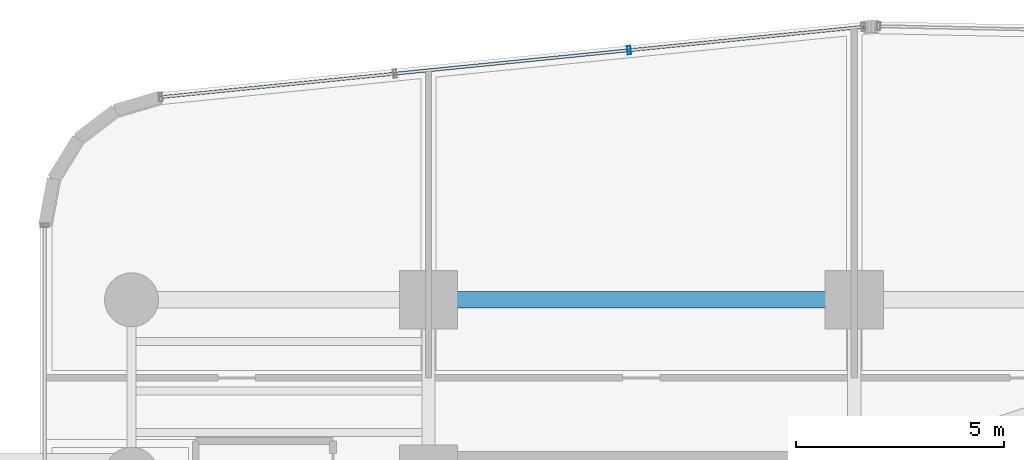
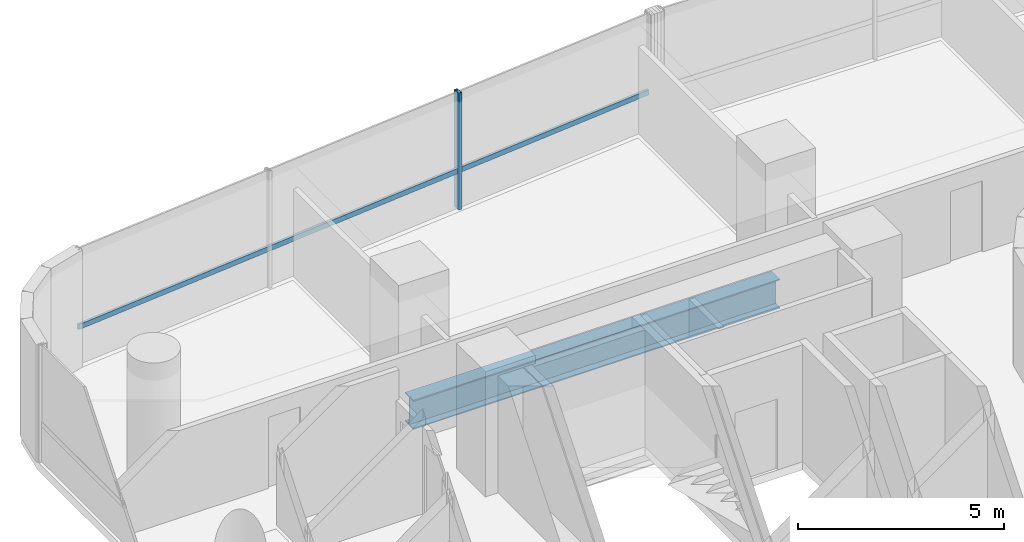
# One storey, part 18 of 38: 2 members, 1 beam, 1 element without a shape of its own.
"""IFC4 building model written with IfcOpenShell, lengths in metres."""

from ifc_helpers import new_model, si_unit, direction, frame, origin, origin_2d, place, context, subcontext, project, spatial, hollow_rectangle, i_section, extrude, source, transform, mapped, material, material_profile, profile_set, type_object, element, aggregate, save


model = new_model("IFC4")

# Units and contexts
model_context = context("Model", 3, precision=1e-05, world=origin(), true_north=direction((0.0, 1.0)))
body_context = subcontext(model_context, "Body", "Model", "MODEL_VIEW")
ifc_project = project(units=[si_unit("LENGTHUNIT", "METRE"), si_unit("AREAUNIT", "SQUARE_METRE"), si_unit("VOLUMEUNIT", "CUBIC_METRE"), si_unit("PLANEANGLEUNIT", "RADIAN"), si_unit("MASSUNIT", "GRAM", prefix="KILO")], contexts=[model_context])

# Site, building, storey
site_placement = place(None, origin())
site = spatial("IfcSite", under=ifc_project, at=site_placement, CompositionType="ELEMENT")
building_placement = place(site_placement, origin())
building = spatial("IfcBuilding", under=site, at=building_placement, Name="Valdorenza Pilgrim Sanctuary Tower", CompositionType="ELEMENT")
storey_placement = place(building_placement, frame((0.0, 0.0, 37.10009765625)))
storey = spatial("IfcBuildingStorey", under=building, at=storey_placement, Name="L08", CompositionType="ELEMENT", Elevation=37.10009765625)

# Beam
ifc_material_1 = material(Name="Steel ASTM A992 Grade 50", Category="steel")
ifc_material_profile_1 = material_profile(ifc_material_1, i_section(OverallWidth=0.39990234375, OverallDepth=0.862060546875, WebThickness=0.019775390625, FlangeThickness=0.032470703125, at=origin_2d()), Name="W33X221")
ifc_profile_set_1 = profile_set([ifc_material_profile_1], Name="Steel ASTM A992 Grade 50")
beam_type = type_object("IfcBeamType", Name="STR-BM-GRD-W33", PredefinedType="BEAM", material=ifc_profile_set_1)
shared_shape_1 = source(origin(), body_context, "Body", "SweptSolid", [
    extrude(i_section(OverallWidth=0.39990234375, OverallDepth=0.862060546875, WebThickness=0.019775390625, FlangeThickness=0.032470703125, at=origin_2d()), origin(), (0.0, 0.0, 1.0), 10.25),
])
beam_placement = place(storey_placement, frame((-22.64990234375, 14.800048828125, -0.671142578125), z_axis=(1.0, 0.0, 0.0), x_axis=(0.0, 1.0, 0.0)))
element("IfcBeam", 1, at=beam_placement, inside=storey, type_object=beam_type, Name="L08 Floor Girder CA-XC-N2", PredefinedType="BEAM", context=body_context, shape_type="MappedRepresentation", body=[
    mapped(shared_shape_1, transform((0.0, 0.0, 0.0), x_axis=(1.0, 0.0, 0.0), y_axis=(0.0, 1.0, 0.0), z_axis=(0.0, 0.0, 1.0), scale=1.0)),
])

# Curtain wall, members
ifc_material_2 = material(Name="Curtain-wall IGU glazing", Category="glass")
curtain_wall_type = type_object("IfcCurtainWallType", Name="CW-SYS-02", PredefinedType="NOTDEFINED", material=ifc_material_2)
curtain_wall_placement = place(storey_placement, origin())
curtain_wall = element("IfcCurtainWall", 2, at=curtain_wall_placement, inside=storey, type_object=curtain_wall_type, Name="L08 Curtain Wall CW-L08-1-6", PredefinedType="NOTDEFINED")
ifc_material_3 = material(Name="Anodised aluminium AW-6060", Category="aluminium")
ifc_material_profile_2 = material_profile(ifc_material_3, hollow_rectangle(XDim=0.0849609375, YDim=0.199951171875, WallThickness=0.0048828125, at=origin_2d()), Name="ALU-M 200x85x5")
ifc_profile_set_2 = profile_set([ifc_material_profile_2], Name="Anodised aluminium AW-6060")
member_type_1 = type_object("IfcMemberType", Name="CW-MUL-02", PredefinedType="MULLION", material=ifc_profile_set_2)
shared_shape_2 = source(origin(), body_context, "Body", "SweptSolid", [
    extrude(hollow_rectangle(XDim=0.0849609375, YDim=0.199951171875, WallThickness=0.0048828125, at=origin_2d()), origin(), (0.0, 0.0, 1.0), 3.4599609375),
])
member_1_placement = place(storey_placement, frame((-17.820556640625, 20.8076171875, 0.0), z_axis=(0.0, 0.0, 1.0), x_axis=(0.995038220239, 0.099493418189, 0.0)))
member_1 = element("IfcMember", 3, at=member_1_placement, type_object=member_type_1, Name="CW-L08-1-6 Mullion 3", PredefinedType="MULLION", context=body_context, shape_type="MappedRepresentation", body=[
    mapped(shared_shape_2, transform((0.0, 0.0, 0.0), x_axis=(1.0, 0.0, 0.0), y_axis=(0.0, 1.0, 0.0), z_axis=(0.0, 0.0, 1.0), scale=1.0)),
])
ifc_material_profile_3 = material_profile(ifc_material_3, hollow_rectangle(XDim=0.074951171875, YDim=0.14990234375, WallThickness=0.00390625, at=origin_2d()), Name="ALU-T 150x75x4")
ifc_profile_set_3 = profile_set([ifc_material_profile_3], Name="Anodised aluminium AW-6060")
member_type_2 = type_object("IfcMemberType", Name="CW-TRN-02", PredefinedType="USERDEFINED", material=ifc_profile_set_3)
shared_shape_3 = source(origin(), body_context, "Body", "SweptSolid", [
    extrude(hollow_rectangle(XDim=0.074951171875, YDim=0.14990234375, WallThickness=0.00390625, at=origin_2d()), origin(), (0.0, 0.0, 1.0), 17.0),
])
member_2_placement = place(storey_placement, frame((-29.097412109375, 19.6796875, 1.119873046875), z_axis=(0.99503662143, 0.099509406661, 0.0), x_axis=(-0.099509406661, 0.99503662143, 0.0)))
member_2 = element("IfcMember", 4, at=member_2_placement, type_object=member_type_2, Name="CW-L08-1-6 Transom 1", ObjectType="TRANSOM", PredefinedType="USERDEFINED", context=body_context, shape_type="MappedRepresentation", body=[
    mapped(shared_shape_3, transform((0.0, 0.0, 0.0), x_axis=(1.0, 0.0, 0.0), y_axis=(0.0, 1.0, 0.0), z_axis=(0.0, 0.0, 1.0), scale=1.0)),
])
aggregate(curtain_wall, [member_1, member_2])

save(model, "model.ifc")
